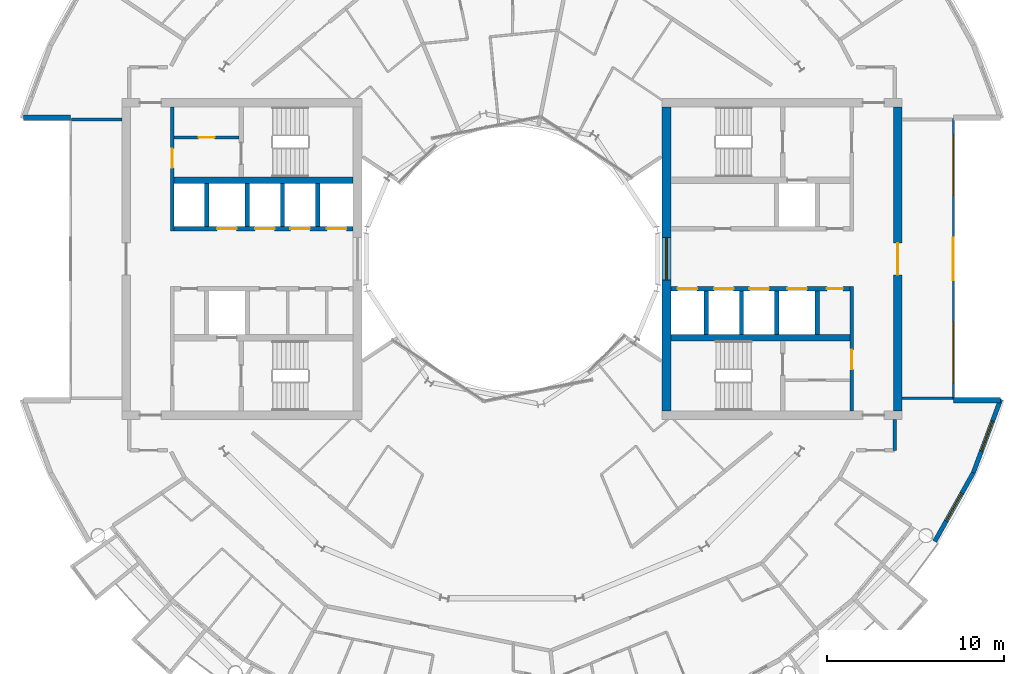
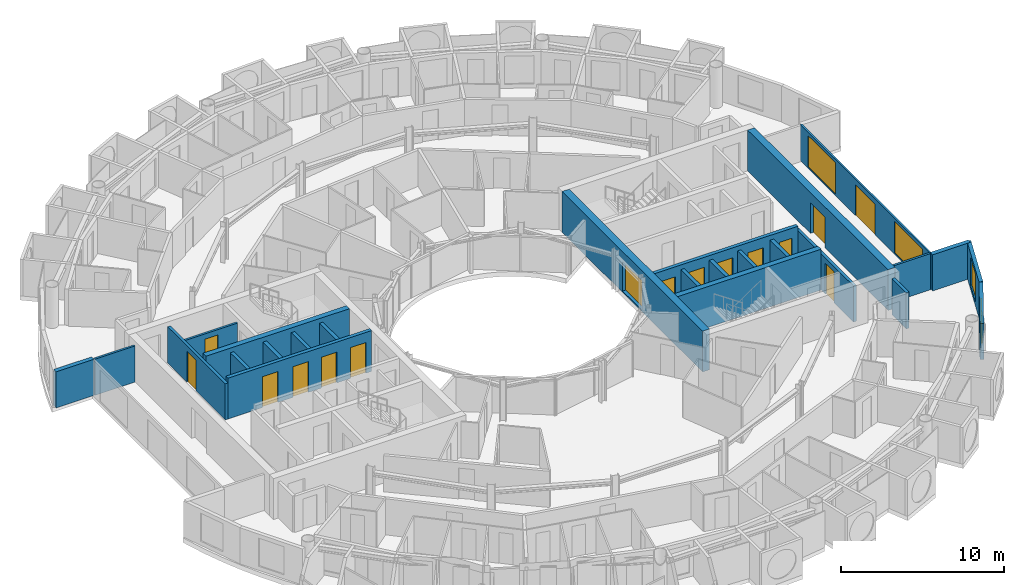
# One storey, part 18 of 27: 25 walls, 14 doors, 5 windows, 19 openings.
"""IFC4 building model written with IfcOpenShell, lengths in metres."""

from ifc_helpers import new_model, si_unit, direction, frame, frame_2d, origin, place, context, subcontext, project, spatial, rectangle, extrude, material, layer, layer_set, type_object, element, fill, save


model = new_model("IFC4")

# Units and contexts
model_context = context("Model", 3, precision=1e-05, world=origin(), true_north=direction((0.0, 1.0)))
body_context = subcontext(model_context, "Body", "Model", "MODEL_VIEW")
ifc_project = project(units=[si_unit("LENGTHUNIT", "METRE"), si_unit("AREAUNIT", "SQUARE_METRE"), si_unit("VOLUMEUNIT", "CUBIC_METRE"), si_unit("PLANEANGLEUNIT", "RADIAN"), si_unit("MASSUNIT", "GRAM", prefix="KILO")], contexts=[model_context])

# Site, building, storey
site_placement = place(None, origin())
site = spatial("IfcSite", under=ifc_project, at=site_placement, CompositionType="ELEMENT")
building_placement = place(site_placement, origin())
building = spatial("IfcBuilding", under=site, at=building_placement, Name="Maasbend Ring Residences", CompositionType="ELEMENT")
storey_placement = place(building_placement, frame((0.0, 0.0, 145.199951171875)))
storey = spatial("IfcBuildingStorey", under=building, at=storey_placement, Name="L41", CompositionType="ELEMENT", Elevation=145.199951171875)

# Wall, openings, doors
ifc_material_1 = material(Name="Concrete C60/75", Category="concrete")
ifc_layer_1 = layer(ifc_material_1, 0.25)
ifc_layer_set_1 = layer_set([ifc_layer_1], Name="Concrete C60/75")
wall_type_1 = type_object("IfcWallType", Name="CORE WALL 250 C60/75", PredefinedType="SHEAR", material=ifc_layer_set_1)
wall_1_placement = place(storey_placement, frame((19.14990234375, -1.699951171875, 0.0), z_axis=(0.0, 0.0, 1.0), x_axis=(-1.0, 0.0, 0.0)))
wall_1 = element("IfcWall", 1, at=wall_1_placement, inside=storey, type_object=wall_type_1, Name="L41 core E wall SPS", PredefinedType="SHEAR", context=body_context, shape_type="SweptSolid", body=[
    extrude(rectangle(XDim=10.14990234375, YDim=0.25, at=frame_2d((5.074951171875, 0.0))), origin(), (0.0, 0.0, 1.0), 3.050048828125),
])
opening_1_placement = place(wall_1_placement, frame((8.66259765625, 0.0, 0.0)))
opening_1 = element("IfcOpeningElement", 2, at=opening_1_placement, cuts=wall_1, Name="Opening LD-E4102", PredefinedType="OPENING", context=body_context, shape_type="SweptSolid", body=[
    extrude(rectangle(XDim=1.10009765625, YDim=2.300048828125, at=frame_2d((0.550048828125, 1.14990234375))), frame((0.0, 0.135009765625, 0.0), z_axis=(0.0, -1.0, 0.0), x_axis=(1.0, 0.0, 0.0)), (0.0, 0.0, 1.0), 0.27001953125),
])
opening_2_placement = place(wall_1_placement, frame((6.60009765625, 0.0, 0.0)))
opening_2 = element("IfcOpeningElement", 3, at=opening_2_placement, cuts=wall_1, Name="Opening LD-E4103", PredefinedType="OPENING", context=body_context, shape_type="SweptSolid", body=[
    extrude(rectangle(XDim=1.10009765625, YDim=2.300048828125, at=frame_2d((0.550048828125, 1.14990234375))), frame((0.0, 0.135009765625, 0.0), z_axis=(0.0, -1.0, 0.0), x_axis=(1.0, 0.0, 0.0)), (0.0, 0.0, 1.0), 0.27001953125),
])
opening_3_placement = place(wall_1_placement, frame((4.60009765625, 0.0, 0.0)))
opening_3 = element("IfcOpeningElement", 4, at=opening_3_placement, cuts=wall_1, Name="Opening LD-E4104", PredefinedType="OPENING", context=body_context, shape_type="SweptSolid", body=[
    extrude(rectangle(XDim=1.10009765625, YDim=2.300048828125, at=frame_2d((0.550048828125, 1.14990234375))), frame((0.0, 0.135009765625, 0.0), z_axis=(0.0, -1.0, 0.0), x_axis=(1.0, 0.0, 0.0)), (0.0, 0.0, 1.0), 0.27001953125),
])
opening_4_placement = place(wall_1_placement, frame((2.449951171875, 0.0, 0.0)))
opening_4 = element("IfcOpeningElement", 5, at=opening_4_placement, cuts=wall_1, Name="Opening LD-E4105", PredefinedType="OPENING", context=body_context, shape_type="SweptSolid", body=[
    extrude(rectangle(XDim=1.10009765625, YDim=2.300048828125, at=frame_2d((0.550048828125, 1.14990234375))), frame((0.0, 0.135009765625, 0.0), z_axis=(0.0, -1.0, 0.0), x_axis=(1.0, 0.0, 0.0)), (0.0, 0.0, 1.0), 0.27001953125),
])
opening_5_placement = place(wall_1_placement, frame((0.41259765625, 0.0, 0.0)))
opening_5 = element("IfcOpeningElement", 6, at=opening_5_placement, cuts=wall_1, Name="Opening D-E4108", PredefinedType="OPENING", context=body_context, shape_type="SweptSolid", body=[
    extrude(rectangle(XDim=0.89990234375, YDim=2.300048828125, at=frame_2d((0.449951171875, 1.14990234375))), frame((0.0, 0.135009765625, 0.0), z_axis=(0.0, -1.0, 0.0), x_axis=(1.0, 0.0, 0.0)), (0.0, 0.0, 1.0), 0.27001953125),
])
ifc_material_2 = material(Name="Stainless steel 316", Category="steel")
door_type_1 = type_object("IfcDoorType", Name="LANDING DOOR 1100 X 2300 FD60", OperationType="DOUBLE_DOOR_SLIDING", PredefinedType="DOOR", material=ifc_material_2)
door_1_placement = place(opening_1_placement, origin())
door_1 = element("IfcDoor", 7, at=door_1_placement, inside=storey, type_object=door_type_1, Name="Landing door HR-E1 L41", OperationType="DOUBLE_DOOR_SLIDING", OverallHeight=2.300048828125, OverallWidth=1.10009765625, PredefinedType="DOOR", context=body_context, shape_type="SweptSolid", body=[
    extrude(rectangle(XDim=1.10009765625, YDim=2.300048828125, at=frame_2d((0.550048828125, 1.14990234375))), frame((0.0, 0.02490234375, 0.0), z_axis=(0.0, -1.0, 0.0), x_axis=(1.0, 0.0, 0.0)), (0.0, 0.0, 1.0), 0.050048828125),
])
fill(opening_1, door_1)
door_2_placement = place(opening_2_placement, origin())
door_2 = element("IfcDoor", 8, at=door_2_placement, inside=storey, type_object=door_type_1, Name="Landing door HR-E2 L41", OperationType="DOUBLE_DOOR_SLIDING", OverallHeight=2.300048828125, OverallWidth=1.10009765625, PredefinedType="DOOR", context=body_context, shape_type="SweptSolid", body=[
    extrude(rectangle(XDim=1.10009765625, YDim=2.300048828125, at=frame_2d((0.550048828125, 1.14990234375))), frame((0.0, 0.02490234375, 0.0), z_axis=(0.0, -1.0, 0.0), x_axis=(1.0, 0.0, 0.0)), (0.0, 0.0, 1.0), 0.050048828125),
])
fill(opening_2, door_2)
door_3_placement = place(opening_3_placement, origin())
door_3 = element("IfcDoor", 9, at=door_3_placement, inside=storey, type_object=door_type_1, Name="Landing door HR-E3 L41", OperationType="DOUBLE_DOOR_SLIDING", OverallHeight=2.300048828125, OverallWidth=1.10009765625, PredefinedType="DOOR", context=body_context, shape_type="SweptSolid", body=[
    extrude(rectangle(XDim=1.10009765625, YDim=2.300048828125, at=frame_2d((0.550048828125, 1.14990234375))), frame((0.0, 0.02490234375, 0.0), z_axis=(0.0, -1.0, 0.0), x_axis=(1.0, 0.0, 0.0)), (0.0, 0.0, 1.0), 0.050048828125),
])
fill(opening_3, door_3)
door_4_placement = place(opening_4_placement, origin())
door_4 = element("IfcDoor", 10, at=door_4_placement, inside=storey, type_object=door_type_1, Name="Landing door SV-E L41", OperationType="DOUBLE_DOOR_SLIDING", OverallHeight=2.300048828125, OverallWidth=1.10009765625, PredefinedType="DOOR", context=body_context, shape_type="SweptSolid", body=[
    extrude(rectangle(XDim=1.10009765625, YDim=2.300048828125, at=frame_2d((0.550048828125, 1.14990234375))), frame((0.0, 0.02490234375, 0.0), z_axis=(0.0, -1.0, 0.0), x_axis=(1.0, 0.0, 0.0)), (0.0, 0.0, 1.0), 0.050048828125),
])
fill(opening_4, door_4)
ifc_material_3 = material(Name="Steel, powder coated", Category="steel")
door_type_2 = type_object("IfcDoorType", Name="ROOM DOOR 900 X 2300 FD30S", OperationType="NOTDEFINED", PredefinedType="DOOR", material=ifc_material_3)
door_5_placement = place(opening_5_placement, origin())
door_5 = element("IfcDoor", 11, at=door_5_placement, inside=storey, type_object=door_type_2, Name="Room door L41", OperationType="SINGLE_SWING_RIGHT", OverallHeight=2.300048828125, OverallWidth=0.89990234375, PredefinedType="DOOR", context=body_context, shape_type="SweptSolid", body=[
    extrude(rectangle(XDim=0.89990234375, YDim=2.300048828125, at=frame_2d((0.449951171875, 1.14990234375))), frame((0.0, 0.02490234375, 0.0), z_axis=(0.0, -1.0, 0.0), x_axis=(1.0, 0.0, 0.0)), (0.0, 0.0, 1.0), 0.050048828125),
])
fill(opening_5, door_5)

wall_2_placement = place(storey_placement, frame((-9.0, 1.699951171875, 0.0), z_axis=(0.0, 0.0, 1.0), x_axis=(-1.0, 0.0, 0.0)))
wall_2 = element("IfcWall", 12, at=wall_2_placement, inside=storey, type_object=wall_type_1, Name="L41 core W wall SPS", PredefinedType="SHEAR", context=body_context, shape_type="SweptSolid", body=[
    extrude(rectangle(XDim=10.14990234375, YDim=0.25, at=frame_2d((5.074951171875, 0.0))), origin(), (0.0, 0.0, 1.0), 3.050048828125),
])
opening_6_placement = place(wall_2_placement, frame((0.387451171875, 0.0, 0.0)))
opening_6 = element("IfcOpeningElement", 13, at=opening_6_placement, cuts=wall_2, Name="Opening LD-W4102", PredefinedType="OPENING", context=body_context, shape_type="SweptSolid", body=[
    extrude(rectangle(XDim=1.10009765625, YDim=2.300048828125, at=frame_2d((0.550048828125, 1.14990234375))), frame((0.0, 0.135009765625, 0.0), z_axis=(0.0, -1.0, 0.0), x_axis=(1.0, 0.0, 0.0)), (0.0, 0.0, 1.0), 0.27001953125),
])
opening_7_placement = place(wall_2_placement, frame((2.449951171875, 0.0, 0.0)))
opening_7 = element("IfcOpeningElement", 14, at=opening_7_placement, cuts=wall_2, Name="Opening LD-W4103", PredefinedType="OPENING", context=body_context, shape_type="SweptSolid", body=[
    extrude(rectangle(XDim=1.10009765625, YDim=2.300048828125, at=frame_2d((0.550048828125, 1.14990234375))), frame((0.0, 0.135009765625, 0.0), z_axis=(0.0, -1.0, 0.0), x_axis=(1.0, 0.0, 0.0)), (0.0, 0.0, 1.0), 0.27001953125),
])
opening_8_placement = place(wall_2_placement, frame((4.449951171875, 0.0, 0.0)))
opening_8 = element("IfcOpeningElement", 15, at=opening_8_placement, cuts=wall_2, Name="Opening LD-W4104", PredefinedType="OPENING", context=body_context, shape_type="SweptSolid", body=[
    extrude(rectangle(XDim=1.10009765625, YDim=2.300048828125, at=frame_2d((0.550048828125, 1.14990234375))), frame((0.0, 0.135009765625, 0.0), z_axis=(0.0, -1.0, 0.0), x_axis=(1.0, 0.0, 0.0)), (0.0, 0.0, 1.0), 0.27001953125),
])
opening_9_placement = place(wall_2_placement, frame((6.60009765625, 0.0, 0.0)))
opening_9 = element("IfcOpeningElement", 16, at=opening_9_placement, cuts=wall_2, Name="Opening LD-W4105", PredefinedType="OPENING", context=body_context, shape_type="SweptSolid", body=[
    extrude(rectangle(XDim=1.10009765625, YDim=2.300048828125, at=frame_2d((0.550048828125, 1.14990234375))), frame((0.0, 0.135009765625, 0.0), z_axis=(0.0, -1.0, 0.0), x_axis=(1.0, 0.0, 0.0)), (0.0, 0.0, 1.0), 0.27001953125),
])
door_6_placement = place(opening_6_placement, origin())
door_6 = element("IfcDoor", 17, at=door_6_placement, inside=storey, type_object=door_type_1, Name="Landing door HR-W1 L41", OperationType="DOUBLE_DOOR_SLIDING", OverallHeight=2.300048828125, OverallWidth=1.10009765625, PredefinedType="DOOR", context=body_context, shape_type="SweptSolid", body=[
    extrude(rectangle(XDim=1.10009765625, YDim=2.300048828125, at=frame_2d((0.550048828125, 1.14990234375))), frame((0.0, 0.02490234375, 0.0), z_axis=(0.0, -1.0, 0.0), x_axis=(1.0, 0.0, 0.0)), (0.0, 0.0, 1.0), 0.050048828125),
])
fill(opening_6, door_6)
door_7_placement = place(opening_7_placement, origin())
door_7 = element("IfcDoor", 18, at=door_7_placement, inside=storey, type_object=door_type_1, Name="Landing door HR-W2 L41", OperationType="DOUBLE_DOOR_SLIDING", OverallHeight=2.300048828125, OverallWidth=1.10009765625, PredefinedType="DOOR", context=body_context, shape_type="SweptSolid", body=[
    extrude(rectangle(XDim=1.10009765625, YDim=2.300048828125, at=frame_2d((0.550048828125, 1.14990234375))), frame((0.0, 0.02490234375, 0.0), z_axis=(0.0, -1.0, 0.0), x_axis=(1.0, 0.0, 0.0)), (0.0, 0.0, 1.0), 0.050048828125),
])
fill(opening_7, door_7)
door_8_placement = place(opening_8_placement, origin())
door_8 = element("IfcDoor", 19, at=door_8_placement, inside=storey, type_object=door_type_1, Name="Landing door HR-W3 L41", OperationType="DOUBLE_DOOR_SLIDING", OverallHeight=2.300048828125, OverallWidth=1.10009765625, PredefinedType="DOOR", context=body_context, shape_type="SweptSolid", body=[
    extrude(rectangle(XDim=1.10009765625, YDim=2.300048828125, at=frame_2d((0.550048828125, 1.14990234375))), frame((0.0, 0.02490234375, 0.0), z_axis=(0.0, -1.0, 0.0), x_axis=(1.0, 0.0, 0.0)), (0.0, 0.0, 1.0), 0.050048828125),
])
fill(opening_8, door_8)
door_9_placement = place(opening_9_placement, origin())
door_9 = element("IfcDoor", 20, at=door_9_placement, inside=storey, type_object=door_type_1, Name="Landing door SV-W L41", OperationType="DOUBLE_DOOR_SLIDING", OverallHeight=2.300048828125, OverallWidth=1.10009765625, PredefinedType="DOOR", context=body_context, shape_type="SweptSolid", body=[
    extrude(rectangle(XDim=1.10009765625, YDim=2.300048828125, at=frame_2d((0.550048828125, 1.14990234375))), frame((0.0, 0.02490234375, 0.0), z_axis=(0.0, -1.0, 0.0), x_axis=(1.0, 0.0, 0.0)), (0.0, 0.0, 1.0), 0.050048828125),
])
fill(opening_9, door_9)

# Walls
ifc_material_4 = material(Name="Concrete C60/75", Category="concrete")
ifc_layer_2 = layer(ifc_material_4, 0.375)
ifc_layer_set_2 = layer_set([ifc_layer_2], Name="Concrete C60/75")
wall_type_2 = type_object("IfcWallType", Name="CORE WALL 375 C60/75", PredefinedType="SHEAR", material=ifc_layer_set_2)
for number, where, z_axis, x_axis, name in (
    (21, (9.0, -4.46240234375, 0.0), (0.0, 0.0, 1.0), (1.0, 0.0, 0.0), "L41 core E wall BS"),
    (22, (-9.0, 4.46240234375, 0.0), (0.0, 0.0, 1.0), (-1.0, 0.0, 0.0), "L41 core W wall BS"),
):
    element("IfcWall", number, at=place(storey_placement, frame(where, z_axis=z_axis, x_axis=x_axis)), inside=storey, type_object=wall_type_2, Name=name, PredefinedType="SHEAR", context=body_context, shape_type="SweptSolid", body=[
        extrude(rectangle(XDim=10.14990234375, YDim=0.375, at=frame_2d((5.074951171875, 0.0))), origin(), (0.0, 0.0, 1.0), 3.050048828125),
    ])

# Wall, opening, door
ifc_material_5 = material(Name="Concrete C60/75", Category="concrete")
ifc_layer_3 = layer(ifc_material_5, 0.5)
ifc_layer_set_3 = layer_set([ifc_layer_3], Name="Concrete C60/75")
wall_type_3 = type_object("IfcWallType", Name="CORE WALL 500 C60/75", PredefinedType="SHEAR", material=ifc_layer_set_3)
wall_3_placement = place(storey_placement, frame((21.85009765625, 8.60009765625, 0.0), z_axis=(0.0, 0.0, 1.0), x_axis=(0.0, -1.0, 0.0)))
wall_3 = element("IfcWall", 23, at=wall_3_placement, inside=storey, type_object=wall_type_3, Name="L41 core E wall POUT", PredefinedType="SHEAR", context=body_context, shape_type="SweptSolid", body=[
    extrude(rectangle(XDim=17.2001953125, YDim=0.5, at=frame_2d((8.60009765625, 0.0))), origin(), (0.0, 0.0, 1.0), 3.050048828125),
])
opening_10_placement = place(wall_3_placement, frame((7.699951171875, 0.0, 0.0)))
opening_10 = element("IfcOpeningElement", 24, at=opening_10_placement, cuts=wall_3, Name="Opening D-E4116", PredefinedType="OPENING", context=body_context, shape_type="SweptSolid", body=[
    extrude(rectangle(XDim=1.800048828125, YDim=2.300048828125, at=frame_2d((0.89990234375, 1.14990234375))), frame((0.0, 0.260009765625, 0.0), z_axis=(0.0, -1.0, 0.0), x_axis=(1.0, 0.0, 0.0)), (0.0, 0.0, 1.0), 0.52001953125),
])
ifc_material_6 = material(Name="Aluminium frame, clear glass", Category="aluminium")
door_type_3 = type_object("IfcDoorType", Name="ENTRANCE DOOR 1800 X 2300 FD60", OperationType="NOTDEFINED", PredefinedType="DOOR", material=ifc_material_6)
door_10_placement = place(opening_10_placement, origin())
door_10 = element("IfcDoor", 25, at=door_10_placement, inside=storey, type_object=door_type_3, Name="Lobby glazed door L41", OperationType="SINGLE_SWING_LEFT", OverallHeight=2.300048828125, OverallWidth=1.800048828125, PredefinedType="DOOR", context=body_context, shape_type="SweptSolid", body=[
    extrude(rectangle(XDim=1.800048828125, YDim=2.300048828125, at=frame_2d((0.89990234375, 1.14990234375))), frame((0.0, 0.02490234375, 0.0), z_axis=(0.0, -1.0, 0.0), x_axis=(1.0, 0.0, 0.0)), (0.0, 0.0, 1.0), 0.050048828125),
])
fill(opening_10, door_10)

# Wall, opening, window
wall_4_placement = place(storey_placement, frame((8.75, -8.60009765625, 0.0), z_axis=(0.0, 0.0, 1.0), x_axis=(0.0, 1.0, 0.0)))
wall_4 = element("IfcWall", 26, at=wall_4_placement, inside=storey, type_object=wall_type_3, Name="L41 core E wall PIN", PredefinedType="SHEAR", context=body_context, shape_type="SweptSolid", body=[
    extrude(rectangle(XDim=17.2001953125, YDim=0.5, at=frame_2d((8.60009765625, 0.0))), origin(), (0.0, 0.0, 1.0), 3.050048828125),
])
opening_11_placement = place(wall_4_placement, frame((7.39990234375, 0.0, 0.10009765625)))
opening_11 = element("IfcOpeningElement", 27, at=opening_11_placement, cuts=wall_4, Name="Opening W-E4101", PredefinedType="OPENING", context=body_context, shape_type="SweptSolid", body=[
    extrude(rectangle(XDim=2.39990234375, YDim=2.199951171875, at=frame_2d((1.199951171875, 1.10009765625))), frame((0.0, 0.260009765625, 0.0), z_axis=(0.0, -1.0, 0.0), x_axis=(1.0, 0.0, 0.0)), (0.0, 0.0, 1.0), 0.52001953125),
])
ifc_material_7 = material(Name="Aluminium frame and clear glass", Category="aluminium")
window_type_1 = type_object("IfcWindowType", Name="FIXED WINDOW 2400 X 2200", PartitioningType="SINGLE_PANEL", PredefinedType="WINDOW", material=ifc_material_7)
window_1_placement = place(opening_11_placement, origin())
window_1 = element("IfcWindow", 28, at=window_1_placement, inside=storey, type_object=window_type_1, Name="Lobby window L41", OverallHeight=2.199951171875, OverallWidth=2.39990234375, PartitioningType="SINGLE_PANEL", PredefinedType="WINDOW", context=body_context, shape_type="SweptSolid", body=[
    extrude(rectangle(XDim=2.39990234375, YDim=2.199951171875, at=frame_2d((1.199951171875, 1.10009765625))), frame((0.0, 0.030029296875, 0.0), z_axis=(0.0, -1.0, 0.0), x_axis=(1.0, 0.0, 0.0)), (0.0, 0.0, 1.0), 0.06005859375),
])
fill(opening_11, window_1)

# Wall
ifc_material_8 = material(Name="Concrete C30/37", Category="concrete")
ifc_layer_4 = layer(ifc_material_8, 0.199951171875)
ifc_layer_set_4 = layer_set([ifc_layer_4], Name="Concrete C30/37")
wall_type_4 = type_object("IfcWallType", Name="CORRIDOR WALL 200 CONCRETE", PredefinedType="PARTITIONING", material=ifc_layer_set_4)
wall_5_placement = place(storey_placement, frame((21.675048828125, -10.85009765625, 0.0), z_axis=(0.0, 0.0, 1.0), x_axis=(0.0, 1.0, 0.0)))
element("IfcWall", 29, at=wall_5_placement, inside=storey, type_object=wall_type_4, Name="U-L41-w012", PredefinedType="PARTITIONING", context=body_context, shape_type="SweptSolid", body=[
    extrude(rectangle(XDim=1.75, YDim=0.199951171875, at=frame_2d((0.875, 0.0))), origin(), (0.0, 0.0, 1.0), 2.699951171875),
])

# Wall, opening, window
ifc_material_9 = material(Name="Aluminium clad insulated panel", Category="aluminium")
ifc_layer_5 = layer(ifc_material_9, 0.25)
ifc_layer_set_5 = layer_set([ifc_layer_5], Name="EW-HORN")
wall_type_5 = type_object("IfcWallType", Name="EW-HORN", PredefinedType="SOLIDWALL", material=ifc_layer_set_5)
wall_6_placement = place(storey_placement, frame((23.946044921875, -16.0, 0.0), z_axis=(0.0, 0.0, 1.0), x_axis=(0.489696356642, 0.871893042919, 0.0)))
wall_6 = element("IfcWall", 30, at=wall_6_placement, inside=storey, type_object=wall_type_5, Name="Horn wall 2.1", PredefinedType="SOLIDWALL", context=body_context, shape_type="SweptSolid", body=[
    extrude(rectangle(XDim=4.45361328125, YDim=0.25, at=frame_2d((2.226806640625, 0.0))), origin(), (0.0, 0.0, 1.0), 2.699951171875),
])
opening_12_placement = place(wall_6_placement, frame((1.32666015625, 0.0, 0.300048828125)))
opening_12 = element("IfcOpeningElement", 31, at=opening_12_placement, cuts=wall_6, Name="Opening W-BX", PredefinedType="OPENING", context=body_context, shape_type="SweptSolid", body=[
    extrude(rectangle(XDim=1.800048828125, YDim=2.10009765625, at=frame_2d((0.89990234375, 1.050048828125))), frame((0.0, 0.135009765625, 0.0), z_axis=(0.0, -1.0, 0.0), x_axis=(1.0, 0.0, 0.0)), (0.0, 0.0, 1.0), 0.27001953125),
])
ifc_material_10 = material(Name="Aluminium and clear glass", Category="aluminium")
window_type_2 = type_object("IfcWindowType", Name="W-BX", PartitioningType="DOUBLE_PANEL_VERTICAL", PredefinedType="WINDOW", material=ifc_material_10)
window_2_placement = place(opening_12_placement, origin())
window_2 = element("IfcWindow", 32, at=window_2_placement, inside=storey, type_object=window_type_2, Name="Horn window 2.1", OverallHeight=2.10009765625, OverallWidth=1.800048828125, PartitioningType="SINGLE_PANEL", PredefinedType="WINDOW", context=body_context, shape_type="SweptSolid", body=[
    extrude(rectangle(XDim=1.800048828125, YDim=2.10009765625, at=frame_2d((0.89990234375, 1.050048828125))), frame((0.0, 0.030029296875, 0.0), z_axis=(0.0, -1.0, 0.0), x_axis=(1.0, 0.0, 0.0)), (0.0, 0.0, 1.0), 0.06005859375),
])
fill(opening_12, window_2)

wall_7_placement = place(storey_placement, frame((26.126953125, -12.116943359375, 0.0), z_axis=(0.0, 0.0, 1.0), x_axis=(0.349247811493, 0.937030397675, 0.0)))
wall_7 = element("IfcWall", 33, at=wall_7_placement, inside=storey, type_object=wall_type_5, Name="Horn wall 2.2", PredefinedType="SOLIDWALL", context=body_context, shape_type="SweptSolid", body=[
    extrude(rectangle(XDim=4.4521484375, YDim=0.25, at=frame_2d((2.22607421875, 0.0))), origin(), (0.0, 0.0, 1.0), 2.699951171875),
])
opening_13_placement = place(wall_7_placement, frame((1.32666015625, 0.0, 0.300048828125)))
opening_13 = element("IfcOpeningElement", 34, at=opening_13_placement, cuts=wall_7, Name="Opening W-BX", PredefinedType="OPENING", context=body_context, shape_type="SweptSolid", body=[
    extrude(rectangle(XDim=1.800048828125, YDim=2.10009765625, at=frame_2d((0.89990234375, 1.050048828125))), frame((0.0, 0.135009765625, 0.0), z_axis=(0.0, -1.0, 0.0), x_axis=(1.0, 0.0, 0.0)), (0.0, 0.0, 1.0), 0.27001953125),
])
window_3_placement = place(opening_13_placement, origin())
window_3 = element("IfcWindow", 35, at=window_3_placement, inside=storey, type_object=window_type_2, Name="Horn window 2.2", OverallHeight=2.10009765625, OverallWidth=1.800048828125, PartitioningType="SINGLE_PANEL", PredefinedType="WINDOW", context=body_context, shape_type="SweptSolid", body=[
    extrude(rectangle(XDim=1.800048828125, YDim=2.10009765625, at=frame_2d((0.89990234375, 1.050048828125))), frame((0.0, 0.030029296875, 0.0), z_axis=(0.0, -1.0, 0.0), x_axis=(1.0, 0.0, 0.0)), (0.0, 0.0, 1.0), 0.06005859375),
])
fill(opening_13, window_3)

# Walls
ifc_material_11 = material(Name="Aluminium clad insulated panel", Category="aluminium")
ifc_layer_6 = layer(ifc_material_11, 0.300048828125)
ifc_layer_set_6 = layer_set([ifc_layer_6], Name="EW-RET")
wall_type_6 = type_object("IfcWallType", Name="EW-RET", PredefinedType="SOLIDWALL", material=ifc_layer_set_6)
for number, where, z_axis, x_axis, name in (
    (36, (25.0, -8.0, 0.0), (0.0, 0.0, 1.0), (1.0, 0.0, 0.0), "Notch return wall east south"),
    (37, (-25.0, 8.0, 0.0), (0.0, 0.0, 1.0), (-1.0, 0.0, 0.0), "Notch return wall west north"),
):
    element("IfcWall", number, at=place(storey_placement, frame(where, z_axis=z_axis, x_axis=x_axis)), inside=storey, type_object=wall_type_6, Name=name, PredefinedType="SOLIDWALL", context=body_context, shape_type="SweptSolid", body=[
        extrude(rectangle(XDim=2.6669921875, YDim=0.300048828125, at=frame_2d((1.33349609375, 0.0))), origin(), (0.0, 0.0, 1.0), 2.699951171875),
    ])

# Wall, openings, door, windows
ifc_material_12 = material(Name="Aluminium frame and clear glass", Category="aluminium")
ifc_layer_7 = layer(ifc_material_12, 0.1201171875)
ifc_layer_set_7 = layer_set([ifc_layer_7], Name="GLAZED SCREEN WALL 120 EI 60")
wall_type_7 = type_object("IfcWallType", Name="GLAZED SCREEN WALL 120 EI 60", PredefinedType="PARTITIONING", material=ifc_layer_set_7)
wall_8_placement = place(storey_placement, frame((25.0, 7.949951171875, 0.0), z_axis=(0.0, 0.0, 1.0), x_axis=(0.0, -1.0, 0.0)))
wall_8 = element("IfcWall", 38, at=wall_8_placement, inside=storey, type_object=wall_type_7, Name="L41 core E wall FACE", PredefinedType="PARTITIONING", context=body_context, shape_type="SweptSolid", body=[
    extrude(rectangle(XDim=15.89990234375, YDim=0.1201171875, at=frame_2d((7.949951171875, 0.0))), origin(), (0.0, 0.0, 1.0), 2.699951171875),
])
opening_14_placement = place(wall_8_placement, frame((6.75, 0.0, 0.0)))
opening_14 = element("IfcOpeningElement", 39, at=opening_14_placement, cuts=wall_8, Name="Opening D-E4117", PredefinedType="OPENING", context=body_context, shape_type="SweptSolid", body=[
    extrude(rectangle(XDim=2.39990234375, YDim=2.300048828125, at=frame_2d((1.199951171875, 1.14990234375))), frame((0.0, 0.070068359375, 0.0), z_axis=(0.0, -1.0, 0.0), x_axis=(1.0, 0.0, 0.0)), (0.0, 0.0, 1.0), 0.14013671875),
])
opening_15_placement = place(wall_8_placement, frame((11.550048828125, 0.0, 0.10009765625)))
opening_15 = element("IfcOpeningElement", 40, at=opening_15_placement, cuts=wall_8, Name="Opening W-E4102", PredefinedType="OPENING", context=body_context, shape_type="SweptSolid", body=[
    extrude(rectangle(XDim=3.39990234375, YDim=2.35009765625, at=frame_2d((1.699951171875, 1.175048828125))), frame((0.0, 0.070068359375, 0.0), z_axis=(0.0, -1.0, 0.0), x_axis=(1.0, 0.0, 0.0)), (0.0, 0.0, 1.0), 0.14013671875),
])
opening_16_placement = place(wall_8_placement, frame((0.949951171875, 0.0, 0.10009765625)))
opening_16 = element("IfcOpeningElement", 41, at=opening_16_placement, cuts=wall_8, Name="Opening W-E4103", PredefinedType="OPENING", context=body_context, shape_type="SweptSolid", body=[
    extrude(rectangle(XDim=3.39990234375, YDim=2.35009765625, at=frame_2d((1.699951171875, 1.175048828125))), frame((0.0, 0.070068359375, 0.0), z_axis=(0.0, -1.0, 0.0), x_axis=(1.0, 0.0, 0.0)), (0.0, 0.0, 1.0), 0.14013671875),
])
ifc_material_13 = material(Name="Aluminium frame, clear glass", Category="aluminium")
door_type_4 = type_object("IfcDoorType", Name="ENTRANCE DOOR 2400 X 2300 FD60", OperationType="NOTDEFINED", PredefinedType="DOOR", material=ifc_material_13)
door_11_placement = place(opening_14_placement, origin())
door_11 = element("IfcDoor", 42, at=door_11_placement, inside=storey, type_object=door_type_4, Name="Lobby glazed door L41", OperationType="SINGLE_SWING_LEFT", OverallHeight=2.300048828125, OverallWidth=2.39990234375, PredefinedType="DOOR", context=body_context, shape_type="SweptSolid", body=[
    extrude(rectangle(XDim=2.39990234375, YDim=2.300048828125, at=frame_2d((1.199951171875, 1.14990234375))), frame((0.0, 0.02490234375, 0.0), z_axis=(0.0, -1.0, 0.0), x_axis=(1.0, 0.0, 0.0)), (0.0, 0.0, 1.0), 0.050048828125),
])
fill(opening_14, door_11)
ifc_material_14 = material(Name="Aluminium frame and clear glass", Category="aluminium")
window_type_3 = type_object("IfcWindowType", Name="FIXED WINDOW 3400 X 2350", PartitioningType="SINGLE_PANEL", PredefinedType="WINDOW", material=ifc_material_14)
window_4_placement = place(opening_15_placement, origin())
window_4 = element("IfcWindow", 43, at=window_4_placement, inside=storey, type_object=window_type_3, Name="Lobby window L41", OverallHeight=2.35009765625, OverallWidth=3.39990234375, PartitioningType="SINGLE_PANEL", PredefinedType="WINDOW", context=body_context, shape_type="SweptSolid", body=[
    extrude(rectangle(XDim=3.39990234375, YDim=2.35009765625, at=frame_2d((1.699951171875, 1.175048828125))), frame((0.0, 0.030029296875, 0.0), z_axis=(0.0, -1.0, 0.0), x_axis=(1.0, 0.0, 0.0)), (0.0, 0.0, 1.0), 0.06005859375),
])
fill(opening_15, window_4)
window_5_placement = place(opening_16_placement, origin())
window_5 = element("IfcWindow", 44, at=window_5_placement, inside=storey, type_object=window_type_3, Name="Lobby window L41", OverallHeight=2.35009765625, OverallWidth=3.39990234375, PartitioningType="SINGLE_PANEL", PredefinedType="WINDOW", context=body_context, shape_type="SweptSolid", body=[
    extrude(rectangle(XDim=3.39990234375, YDim=2.35009765625, at=frame_2d((1.699951171875, 1.175048828125))), frame((0.0, 0.030029296875, 0.0), z_axis=(0.0, -1.0, 0.0), x_axis=(1.0, 0.0, 0.0)), (0.0, 0.0, 1.0), 0.06005859375),
])
fill(opening_16, window_5)

# Wall
ifc_material_15 = material(Name="Gypsum board on steel studs", Category="steel")
ifc_layer_8 = layer(ifc_material_15, 0.14990234375)
ifc_layer_set_8 = layer_set([ifc_layer_8], Name="PARTITION 150 EI 60")
wall_type_8 = type_object("IfcWallType", Name="PARTITION 150 EI 60", PredefinedType="PARTITIONING", material=ifc_layer_set_8)
wall_9_placement = place(storey_placement, frame((22.10009765625, -7.89990234375, 0.0), z_axis=(0.0, 0.0, 1.0), x_axis=(1.0, 0.0, 0.0)))
element("IfcWall", 45, at=wall_9_placement, inside=storey, type_object=wall_type_8, Name="L41 core E wall CITS", PredefinedType="PARTITIONING", context=body_context, shape_type="SweptSolid", body=[
    extrude(rectangle(XDim=2.83984375, YDim=0.14990234375, at=frame_2d((1.419921875, 0.0))), origin(), (0.0, 0.0, 1.0), 2.699951171875),
])

# Wall, opening, door
wall_10_placement = place(storey_placement, frame((-15.449951171875, 6.875, 0.0), z_axis=(0.0, 0.0, 1.0), x_axis=(-1.0, 0.0, 0.0)))
wall_10 = element("IfcWall", 46, at=wall_10_placement, inside=storey, type_object=wall_type_8, Name="L41 core W wall RHS", PredefinedType="PARTITIONING", context=body_context, shape_type="SweptSolid", body=[
    extrude(rectangle(XDim=3.699951171875, YDim=0.14990234375, at=frame_2d((1.85009765625, 0.0))), origin(), (0.0, 0.0, 1.0), 2.699951171875),
])
opening_17_placement = place(wall_10_placement, frame((1.39990234375, 0.0, 0.0)))
opening_17 = element("IfcOpeningElement", 47, at=opening_17_placement, cuts=wall_10, Name="Opening D-W4110", PredefinedType="OPENING", context=body_context, shape_type="SweptSolid", body=[
    extrude(rectangle(XDim=0.89990234375, YDim=2.300048828125, at=frame_2d((0.449951171875, 1.14990234375))), frame((0.0, 0.0849609375, 0.0), z_axis=(0.0, -1.0, 0.0), x_axis=(1.0, 0.0, 0.0)), (0.0, 0.0, 1.0), 0.169921875),
])
ifc_material_16 = material(Name="Steel, powder coated", Category="steel")
door_type_5 = type_object("IfcDoorType", Name="RISER DOOR 900 X 2300 FD60", OperationType="NOTDEFINED", PredefinedType="DOOR", material=ifc_material_16)
door_12_placement = place(opening_17_placement, origin())
door_12 = element("IfcDoor", 48, at=door_12_placement, inside=storey, type_object=door_type_5, Name="Riser door L41", OperationType="SINGLE_SWING_LEFT", OverallHeight=2.300048828125, OverallWidth=0.89990234375, PredefinedType="DOOR", context=body_context, shape_type="SweptSolid", body=[
    extrude(rectangle(XDim=0.89990234375, YDim=2.300048828125, at=frame_2d((0.449951171875, 1.14990234375))), frame((0.0, 0.02490234375, 0.0), z_axis=(0.0, -1.0, 0.0), x_axis=(1.0, 0.0, 0.0)), (0.0, 0.0, 1.0), 0.050048828125),
])
fill(opening_17, door_12)

# Wall
wall_11_placement = place(storey_placement, frame((-22.10009765625, 7.89990234375, 0.0), z_axis=(0.0, 0.0, 1.0), x_axis=(-1.0, 0.0, 0.0)))
element("IfcWall", 49, at=wall_11_placement, inside=storey, type_object=wall_type_8, Name="L41 core W wall CITS", PredefinedType="PARTITIONING", context=body_context, shape_type="SweptSolid", body=[
    extrude(rectangle(XDim=2.83984375, YDim=0.14990234375, at=frame_2d((1.419921875, 0.0))), origin(), (0.0, 0.0, 1.0), 2.699951171875),
])

# Wall, opening, door
ifc_material_17 = material(Name="Concrete C30/37", Category="concrete")
ifc_layer_9 = layer(ifc_material_17, 0.199951171875)
ifc_layer_set_9 = layer_set([ifc_layer_9], Name="Concrete C30/37")
wall_type_9 = type_object("IfcWallType", Name="SHAFT WALL 200 EI 120", PredefinedType="SOLIDWALL", material=ifc_layer_set_9)
wall_12_placement = place(storey_placement, frame((19.25, -8.60009765625, 0.0), z_axis=(0.0, 0.0, 1.0), x_axis=(0.0, 1.0, 0.0)))
wall_12 = element("IfcWall", 50, at=wall_12_placement, inside=storey, type_object=wall_type_9, Name="L41 core E wall ENDS", PredefinedType="SOLIDWALL", context=body_context, shape_type="SweptSolid", body=[
    extrude(rectangle(XDim=7.025146484375, YDim=0.199951171875, at=frame_2d((3.5126953125, 0.0))), origin(), (0.0, 0.0, 1.0), 2.699951171875),
])
opening_18_placement = place(wall_12_placement, frame((2.35009765625, 0.0, 0.0)))
opening_18 = element("IfcOpeningElement", 51, at=opening_18_placement, cuts=wall_12, Name="Opening D-E4113", PredefinedType="OPENING", context=body_context, shape_type="SweptSolid", body=[
    extrude(rectangle(XDim=1.10009765625, YDim=2.300048828125, at=frame_2d((0.550048828125, 1.14990234375))), frame((0.0, 0.10986328125, 0.0), z_axis=(0.0, -1.0, 0.0), x_axis=(1.0, 0.0, 0.0)), (0.0, 0.0, 1.0), 0.219970703125),
])
ifc_material_18 = material(Name="Steel, powder coated", Category="steel")
door_type_6 = type_object("IfcDoorType", Name="LOBBY DOOR 1100 X 2300 FD60", OperationType="NOTDEFINED", PredefinedType="DOOR", material=ifc_material_18)
door_13_placement = place(opening_18_placement, origin())
door_13 = element("IfcDoor", 52, at=door_13_placement, inside=storey, type_object=door_type_6, Name="Lobby door L41", OperationType="SINGLE_SWING_RIGHT", OverallHeight=2.300048828125, OverallWidth=1.10009765625, PredefinedType="DOOR", context=body_context, shape_type="SweptSolid", body=[
    extrude(rectangle(XDim=1.10009765625, YDim=2.300048828125, at=frame_2d((0.550048828125, 1.14990234375))), frame((0.0, 0.02490234375, 0.0), z_axis=(0.0, -1.0, 0.0), x_axis=(1.0, 0.0, 0.0)), (0.0, 0.0, 1.0), 0.050048828125),
])
fill(opening_18, door_13)

wall_13_placement = place(storey_placement, frame((-19.25, 8.60009765625, 0.0), z_axis=(0.0, 0.0, 1.0), x_axis=(0.0, -1.0, 0.0)))
wall_13 = element("IfcWall", 53, at=wall_13_placement, inside=storey, type_object=wall_type_9, Name="L41 core W wall ENDS", PredefinedType="SOLIDWALL", context=body_context, shape_type="SweptSolid", body=[
    extrude(rectangle(XDim=7.025146484375, YDim=0.199951171875, at=frame_2d((3.5126953125, 0.0))), origin(), (0.0, 0.0, 1.0), 2.699951171875),
])
opening_19_placement = place(wall_13_placement, frame((2.35009765625, 0.0, 0.0)))
opening_19 = element("IfcOpeningElement", 54, at=opening_19_placement, cuts=wall_13, Name="Opening D-W4114", PredefinedType="OPENING", context=body_context, shape_type="SweptSolid", body=[
    extrude(rectangle(XDim=1.10009765625, YDim=2.300048828125, at=frame_2d((0.550048828125, 1.14990234375))), frame((0.0, 0.10986328125, 0.0), z_axis=(0.0, -1.0, 0.0), x_axis=(1.0, 0.0, 0.0)), (0.0, 0.0, 1.0), 0.219970703125),
])
door_14_placement = place(opening_19_placement, origin())
door_14 = element("IfcDoor", 55, at=door_14_placement, inside=storey, type_object=door_type_6, Name="Lobby door L41", OperationType="SINGLE_SWING_RIGHT", OverallHeight=2.300048828125, OverallWidth=1.10009765625, PredefinedType="DOOR", context=body_context, shape_type="SweptSolid", body=[
    extrude(rectangle(XDim=1.10009765625, YDim=2.300048828125, at=frame_2d((0.550048828125, 1.14990234375))), frame((0.0, 0.02490234375, 0.0), z_axis=(0.0, -1.0, 0.0), x_axis=(1.0, 0.0, 0.0)), (0.0, 0.0, 1.0), 0.050048828125),
])
fill(opening_19, door_14)

# Walls
ifc_material_19 = material(Name="Concrete C30/37", Category="concrete")
ifc_layer_10 = layer(ifc_material_19, 0.25)
ifc_layer_set_10 = layer_set([ifc_layer_10], Name="Concrete C30/37")
wall_type_10 = type_object("IfcWallType", Name="SHAFT WALL 250 EI 120", PredefinedType="SOLIDWALL", material=ifc_layer_set_10)
for number, where, z_axis, x_axis, name in (
    (56, (15.0, -1.824951171875, 0.0), (0.0, 0.0, 1.0), (0.0, -1.0, 0.0), "L41 core E wall D150S"),
    (57, (17.300048828125, -1.824951171875, 0.0), (0.0, 0.0, 1.0), (0.0, -1.0, 0.0), "L41 core E wall D173S"),
    (58, (11.0, -1.824951171875, 0.0), (0.0, 0.0, 1.0), (0.0, -1.0, 0.0), "L41 core E wall D110S"),
    (59, (13.0, -1.824951171875, 0.0), (0.0, 0.0, 1.0), (0.0, -1.0, 0.0), "L41 core E wall D130S"),
    (60, (-15.0, 1.824951171875, 0.0), (0.0, 0.0, 1.0), (0.0, 1.0, 0.0), "L41 core W wall D150S"),
    (61, (-17.300048828125, 1.824951171875, 0.0), (0.0, 0.0, 1.0), (0.0, 1.0, 0.0), "L41 core W wall D173S"),
    (62, (-11.0, 1.824951171875, 0.0), (0.0, 0.0, 1.0), (0.0, 1.0, 0.0), "L41 core W wall D110S"),
    (63, (-13.0, 1.824951171875, 0.0), (0.0, 0.0, 1.0), (0.0, 1.0, 0.0), "L41 core W wall D130S"),
):
    element("IfcWall", number, at=place(storey_placement, frame(where, z_axis=z_axis, x_axis=x_axis)), inside=storey, type_object=wall_type_10, Name=name, PredefinedType="SOLIDWALL", context=body_context, shape_type="SweptSolid", body=[
        extrude(rectangle(XDim=2.449951171875, YDim=0.25, at=frame_2d((1.22509765625, 0.0))), origin(), (0.0, 0.0, 1.0), 2.699951171875),
    ])

save(model, "model.ifc")
